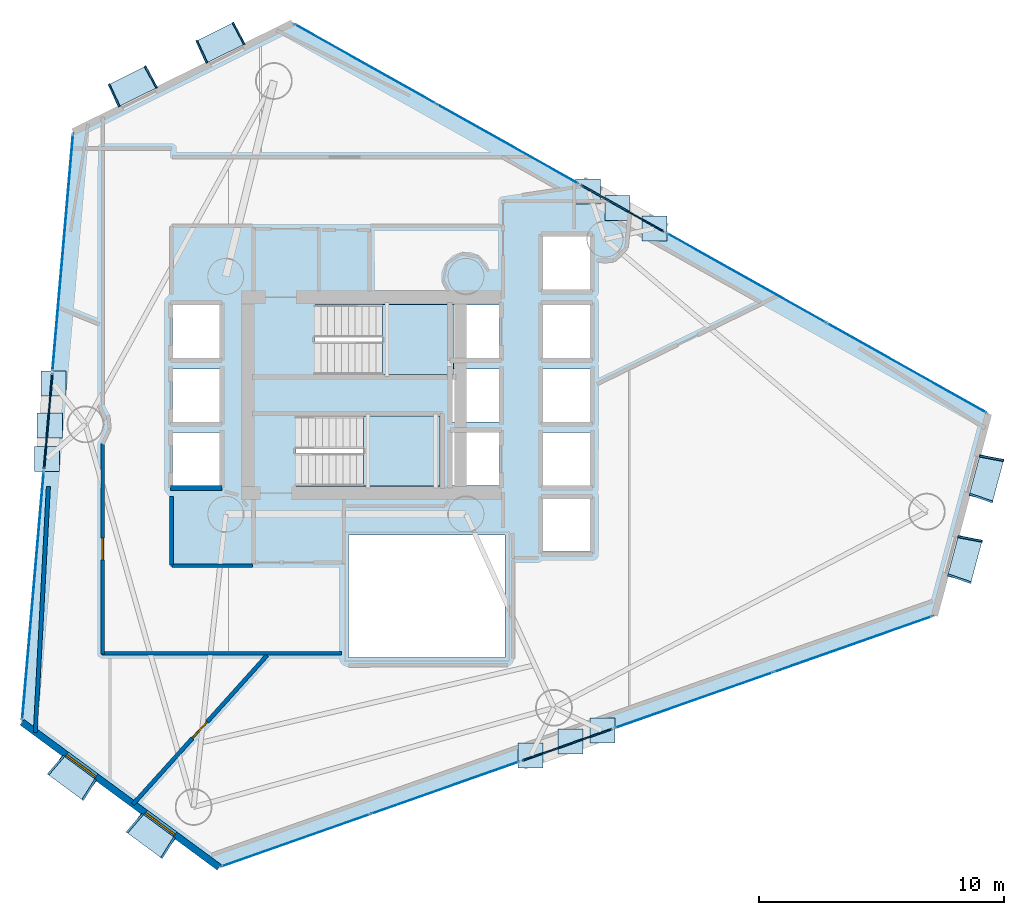
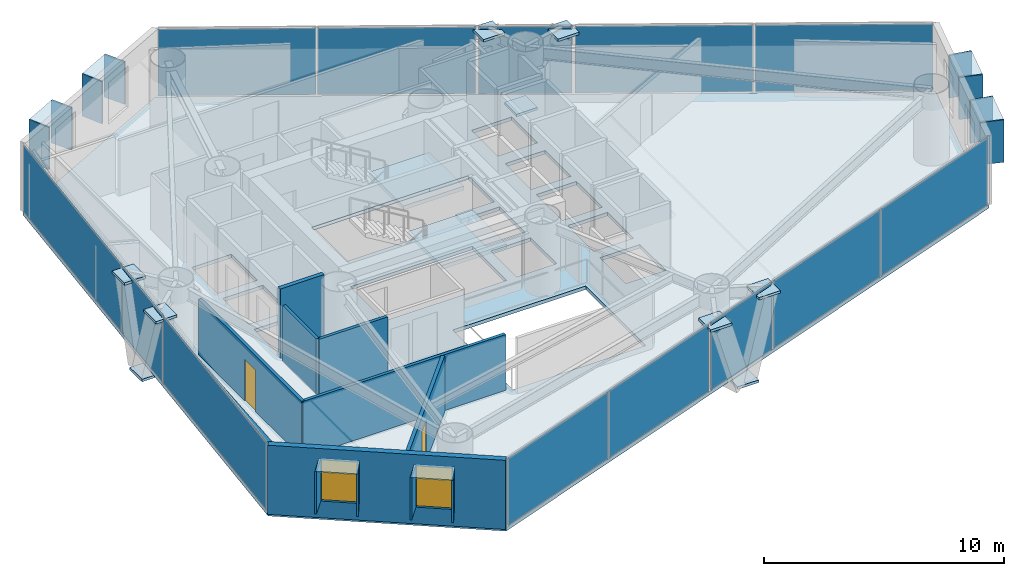
# One storey, part 14 of 19: 40 plates, 8 walls, 3 slabs, 2 doors, 2 windows, 4 openings, 11 elements without a shape of their own.
"""IFC4 building model written with IfcOpenShell, lengths in metres."""

from ifc_helpers import new_model, si_unit, direction, frame, frame_2d, origin, origin_2d, place, context, subcontext, project, spatial, polyline, rectangle, outline, extrude, material, layer, layer_set, type_object, element, fill, aggregate, save


model = new_model("IFC4")

# Units and contexts
model_context = context("Model", 3, precision=1e-05, world=origin(), true_north=direction((0.0, 1.0)))
body_context = subcontext(model_context, "Body", "Model", "MODEL_VIEW")
ifc_project = project(units=[si_unit("LENGTHUNIT", "METRE"), si_unit("AREAUNIT", "SQUARE_METRE"), si_unit("VOLUMEUNIT", "CUBIC_METRE"), si_unit("PLANEANGLEUNIT", "RADIAN"), si_unit("MASSUNIT", "GRAM", prefix="KILO")], contexts=[model_context])

# Site, building, storey
site_placement = place(None, origin())
site = spatial("IfcSite", under=ifc_project, at=site_placement, CompositionType="ELEMENT")
building_placement = place(site_placement, origin())
building = spatial("IfcBuilding", under=site, at=building_placement, Name="Qianvela Tower", CompositionType="ELEMENT")
storey_placement = place(building_placement, frame((0.0, 0.0, 123.699951171875)))
storey = spatial("IfcBuildingStorey", under=building, at=storey_placement, Name="L31", CompositionType="ELEMENT", Elevation=123.699951171875)

# Curtain wall, plate
ifc_material_1 = material(Name="Anodised Architectural Aluminium and Insulated Spandrel Panel", Category="aluminium")
ifc_layer_1 = layer(ifc_material_1, 0.179931640625)
ifc_layer_set_1 = layer_set([ifc_layer_1], Name="Anodised Architectural Aluminium and Insulated Spandrel Panel")
curtain_wall_type_1 = type_object("IfcCurtainWallType", Name="CW-BRACEBAY", PredefinedType="USERDEFINED", material=ifc_layer_set_1)
curtain_wall_1_placement = place(storey_placement, origin())
curtain_wall_1 = element("IfcCurtainWall", 1, at=curtain_wall_1_placement, inside=storey, type_object=curtain_wall_type_1, Name="L31 CW-BRACEBAY Curtain Wall 02B", ObjectType="CURTAIN_WALL_SYSTEM", PredefinedType="USERDEFINED")
ifc_material_2 = material(Name="Insulated Aluminium Spandrel Panel with Mineral-Wool Backpan", Category="aluminium")
ifc_layer_2 = layer(ifc_material_2, 0.06005859375)
ifc_layer_set_2 = layer_set([ifc_layer_2], Name="Insulated Aluminium Spandrel Panel with Mineral-Wool Backpan")
plate_type_1 = type_object("IfcPlateType", Name="CW-BRACEBAY-PNL", PredefinedType="CURTAIN_PANEL", material=ifc_layer_set_2)
plate_1_placement = place(storey_placement, frame((44.77978515625, 36.326416015625, 0.06494140625), z_axis=(0.0, 0.0, 1.0), x_axis=(-0.871950624206, 0.489593820372, 0.0)))
plate_1 = element("IfcPlate", 2, at=plate_1_placement, type_object=plate_type_1, Name="CW-9 panel 1.1", PredefinedType="CURTAIN_PANEL", context=body_context, shape_type="SweptSolid", body=[
    extrude(rectangle(XDim=3.89013671875, YDim=0.06005859375, at=origin_2d()), origin(), (0.0, 0.0, 1.0), 3.389892578125),
])
aggregate(curtain_wall_1, [plate_1])

curtain_wall_2_placement = place(storey_placement, origin())
curtain_wall_2 = element("IfcCurtainWall", 3, at=curtain_wall_2_placement, inside=storey, type_object=curtain_wall_type_1, Name="L31 CW-BRACEBAY Curtain Wall 04B", ObjectType="CURTAIN_WALL_SYSTEM", PredefinedType="USERDEFINED")
plate_2_placement = place(storey_placement, frame((21.359375, 27.6484375, 0.06494140625), z_axis=(0.0, 0.0, 1.0), x_axis=(-0.086476495323, -0.996253891213, 0.0)))
plate_2 = element("IfcPlate", 4, at=plate_2_placement, type_object=plate_type_1, Name="CW-9 panel 1.1", PredefinedType="CURTAIN_PANEL", context=body_context, shape_type="SweptSolid", body=[
    extrude(rectangle(XDim=3.89990234375, YDim=0.06005859375, at=origin_2d()), origin(), (0.0, 0.0, 1.0), 3.389892578125),
])
aggregate(curtain_wall_2, [plate_2])

curtain_wall_3_placement = place(storey_placement, origin())
curtain_wall_3 = element("IfcCurtainWall", 5, at=curtain_wall_3_placement, inside=storey, type_object=curtain_wall_type_1, Name="L31 CW-BRACEBAY Curtain Wall 06B", ObjectType="CURTAIN_WALL_SYSTEM", PredefinedType="USERDEFINED")
plate_3_placement = place(storey_placement, frame((42.521240234375, 14.443359375, 0.06494140625), z_axis=(0.0, 0.0, 1.0), x_axis=(0.943264641146, 0.332041890074, 0.0)))
plate_3 = element("IfcPlate", 6, at=plate_3_placement, type_object=plate_type_1, Name="CW-9 panel 1.1", PredefinedType="CURTAIN_PANEL", context=body_context, shape_type="SweptSolid", body=[
    extrude(rectangle(XDim=3.889892578125, YDim=0.06005859375, at=origin_2d()), origin(), (0.0, 0.0, 1.0), 3.389892578125),
])
aggregate(curtain_wall_3, [plate_3])

# Curtain wall, plates
ifc_material_3 = material(Name="Anodised Architectural Aluminium and Low-E Glass", Category="aluminium")
ifc_layer_3 = layer(ifc_material_3, 0.169921875)
ifc_layer_set_3 = layer_set([ifc_layer_3], Name="Anodised Architectural Aluminium and Low-E Glass")
curtain_wall_type_2 = type_object("IfcCurtainWallType", Name="CW-COLIV-Z34", PredefinedType="USERDEFINED", material=ifc_layer_set_3)
curtain_wall_4_placement = place(storey_placement, origin())
curtain_wall_4 = element("IfcCurtainWall", 7, at=curtain_wall_4_placement, inside=storey, type_object=curtain_wall_type_2, Name="L31 CW-COLIV-Z34 Curtain Wall 02A", ObjectType="CURTAIN_WALL_SYSTEM", PredefinedType="USERDEFINED")
ifc_material_4 = material(Name="Double-Silver Low-E Insulated Glass", Category="glass")
ifc_layer_4 = layer(ifc_material_4, 0.028076171875)
ifc_layer_set_4 = layer_set([ifc_layer_4], Name="Double-Silver Low-E Insulated Glass")
plate_type_2 = type_object("IfcPlateType", Name="CW-COLIV-Z34-PNL", PredefinedType="CURTAIN_PANEL", material=ifc_layer_set_4)
plate_4_placement = place(storey_placement, frame((56.3671875, 29.8203125, 0.06494140625), z_axis=(0.0, 0.0, 1.0), x_axis=(-0.871960611586, 0.48957603275, 0.0)))
plate_4 = element("IfcPlate", 8, at=plate_4_placement, type_object=plate_type_2, Name="CW-4 panel 1.1", PredefinedType="CURTAIN_PANEL", context=body_context, shape_type="SweptSolid", body=[
    extrude(rectangle(XDim=7.432373046875, YDim=0.028076171875, at=origin_2d()), origin(), (0.0, 0.0, 1.0), 3.389892578125),
])
plate_5_placement = place(storey_placement, frame((49.82958984375, 33.490966796875, 0.06494140625), z_axis=(0.0, 0.0, 1.0), x_axis=(-0.871960611586, 0.48957603275, 0.0)))
plate_5 = element("IfcPlate", 9, at=plate_5_placement, type_object=plate_type_2, Name="CW-4 panel 2.1", PredefinedType="CURTAIN_PANEL", context=body_context, shape_type="SweptSolid", body=[
    extrude(rectangle(XDim=7.432373046875, YDim=0.028076171875, at=origin_2d()), origin(), (0.0, 0.0, 1.0), 3.389892578125),
])
aggregate(curtain_wall_4, [plate_4, plate_5])

curtain_wall_5_placement = place(storey_placement, origin())
curtain_wall_5 = element("IfcCurtainWall", 10, at=curtain_wall_5_placement, inside=storey, type_object=curtain_wall_type_2, Name="L31 CW-COLIV-Z34 Curtain Wall 02C", ObjectType="CURTAIN_WALL_SYSTEM", PredefinedType="USERDEFINED")
plate_6_placement = place(storey_placement, frame((40.097900390625, 38.955078125, 0.06494140625), z_axis=(0.0, 0.0, 1.0), x_axis=(-0.87196048873, 0.489576251563, 0.0)))
plate_6 = element("IfcPlate", 11, at=plate_6_placement, type_object=plate_type_2, Name="CW-4 panel 1.1", PredefinedType="CURTAIN_PANEL", context=body_context, shape_type="SweptSolid", body=[
    extrude(rectangle(XDim=6.589111328125, YDim=0.028076171875, at=origin_2d()), origin(), (0.0, 0.0, 1.0), 3.389892578125),
])
plate_7_placement = place(storey_placement, frame((34.295654296875, 42.212890625, 0.06494140625), z_axis=(0.0, 0.0, 1.0), x_axis=(-0.87196048873, 0.489576251563, 0.0)))
plate_7 = element("IfcPlate", 12, at=plate_7_placement, type_object=plate_type_2, Name="CW-4 panel 2.1", PredefinedType="CURTAIN_PANEL", context=body_context, shape_type="SweptSolid", body=[
    extrude(rectangle(XDim=6.589111328125, YDim=0.028076171875, at=origin_2d()), origin(), (0.0, 0.0, 1.0), 3.389892578125),
])
aggregate(curtain_wall_5, [plate_6, plate_7])

# Curtain wall, plate
curtain_wall_6_placement = place(storey_placement, origin())
curtain_wall_6 = element("IfcCurtainWall", 13, at=curtain_wall_6_placement, inside=storey, type_object=curtain_wall_type_2, Name="L31 CW-COLIV-Z34 Curtain Wall 04A", ObjectType="CURTAIN_WALL_SYSTEM", PredefinedType="USERDEFINED")
plate_8_placement = place(storey_placement, frame((21.9560546875, 34.522705078125, 0.06494140625), z_axis=(0.0, 0.0, 1.0), x_axis=(-0.086458685307, -0.996255436991, 0.0)))
plate_8 = element("IfcPlate", 14, at=plate_8_placement, type_object=plate_type_2, Name="CW-4 panel 1.1", PredefinedType="CURTAIN_PANEL", context=body_context, shape_type="SweptSolid", body=[
    extrude(rectangle(XDim=9.639892578125, YDim=0.028076171875, at=origin_2d()), origin(), (0.0, 0.0, 1.0), 3.389892578125),
])
aggregate(curtain_wall_6, [plate_8])

curtain_wall_7_placement = place(storey_placement, origin())
curtain_wall_7 = element("IfcCurtainWall", 15, at=curtain_wall_7_placement, inside=storey, type_object=curtain_wall_type_2, Name="L31 CW-COLIV-Z34 Curtain Wall 04C", ObjectType="CURTAIN_WALL_SYSTEM", PredefinedType="USERDEFINED")
plate_9_placement = place(storey_placement, frame((20.741455078125, 20.528564453125, 0.06494140625), z_axis=(0.0, 0.0, 1.0), x_axis=(-0.086459760786, -0.996255343657, 0.0)))
plate_9 = element("IfcPlate", 16, at=plate_9_placement, type_object=plate_type_2, Name="CW-4 panel 1.1", PredefinedType="CURTAIN_PANEL", context=body_context, shape_type="SweptSolid", body=[
    extrude(rectangle(XDim=10.1337890625, YDim=0.028076171875, at=origin_2d()), origin(), (0.0, 0.0, 1.0), 3.389892578125),
])
aggregate(curtain_wall_7, [plate_9])

# Curtain wall, plates
curtain_wall_8_placement = place(storey_placement, origin())
curtain_wall_8 = element("IfcCurtainWall", 17, at=curtain_wall_8_placement, inside=storey, type_object=curtain_wall_type_2, Name="L31 CW-COLIV-Z34 Curtain Wall 06A", ObjectType="CURTAIN_WALL_SYSTEM", PredefinedType="USERDEFINED")
plate_10_placement = place(storey_placement, frame((31.4580078125, 10.548828125, 0.06494140625), z_axis=(0.0, 0.0, 1.0), x_axis=(0.943261680803, 0.332050299696, 0.0)))
plate_10 = element("IfcPlate", 18, at=plate_10_placement, type_object=plate_type_2, Name="CW-4 panel 1.1", PredefinedType="CURTAIN_PANEL", context=body_context, shape_type="SweptSolid", body=[
    extrude(rectangle(XDim=6.392578125, YDim=0.028076171875, at=origin_2d()), origin(), (0.0, 0.0, 1.0), 3.389892578125),
])
plate_11_placement = place(storey_placement, frame((37.549072265625, 12.693115234375, 0.06494140625), z_axis=(0.0, 0.0, 1.0), x_axis=(0.943261680803, 0.332050299696, 0.0)))
plate_11 = element("IfcPlate", 19, at=plate_11_placement, type_object=plate_type_2, Name="CW-4 panel 2.1", PredefinedType="CURTAIN_PANEL", context=body_context, shape_type="SweptSolid", body=[
    extrude(rectangle(XDim=6.392578125, YDim=0.028076171875, at=origin_2d()), origin(), (0.0, 0.0, 1.0), 3.389892578125),
])
aggregate(curtain_wall_8, [plate_10, plate_11])

curtain_wall_9_placement = place(storey_placement, origin())
curtain_wall_9 = element("IfcCurtainWall", 20, at=curtain_wall_9_placement, inside=storey, type_object=curtain_wall_type_2, Name="L31 CW-COLIV-Z34 Curtain Wall 06C", ObjectType="CURTAIN_WALL_SYSTEM", PredefinedType="USERDEFINED")
plate_12_placement = place(storey_placement, frame((47.69287109375, 16.263916015625, 0.06494140625), z_axis=(0.0, 0.0, 1.0), x_axis=(0.94326293987, 0.332046723019, 0.0)))
plate_12 = element("IfcPlate", 21, at=plate_12_placement, type_object=plate_type_2, Name="CW-4 panel 1.1", PredefinedType="CURTAIN_PANEL", context=body_context, shape_type="SweptSolid", body=[
    extrude(rectangle(XDim=6.815673828125, YDim=0.028076171875, at=origin_2d()), origin(), (0.0, 0.0, 1.0), 3.389892578125),
])
plate_13_placement = place(storey_placement, frame((54.18310546875, 18.548583984375, 0.06494140625), z_axis=(0.0, 0.0, 1.0), x_axis=(0.94326293987, 0.332046723019, 0.0)))
plate_13 = element("IfcPlate", 22, at=plate_13_placement, type_object=plate_type_2, Name="CW-4 panel 2.1", PredefinedType="CURTAIN_PANEL", context=body_context, shape_type="SweptSolid", body=[
    extrude(rectangle(XDim=6.815673828125, YDim=0.028076171875, at=origin_2d()), origin(), (0.0, 0.0, 1.0), 3.389892578125),
])
aggregate(curtain_wall_9, [plate_12, plate_13])

# Plates
ifc_material_5 = material(Name="Steel Q420GJC", Category="steel")
ifc_layer_5 = layer(ifc_material_5, 0.1298828125)
ifc_layer_set_5 = layer_set([ifc_layer_5], Name="Steel Q420GJC")
plate_type_3 = type_object("IfcPlateType", Name="PT-ENDCAP-130", PredefinedType="USERDEFINED", material=ifc_layer_set_5)
for number, where, z_axis, x_axis, name in (
    (23, (46.091552734375, 35.498046875, 3.209716796875), (0.0, 0.0, 1.0), (1.0, 0.0, 0.0), "L31 Hollow Section End Cap Plate B"),
    (24, (44.584228515625, 36.34423828125, -0.603271484375), (0.0, 0.0, 1.0), (1.0, 0.0, 0.0), "L31 Hollow Section End Cap Plate A"),
    (25, (43.3837890625, 37.018310546875, 3.20947265625), (0.0, 0.0, 1.0), (1.0, 0.0, 0.0), "L31 Hollow Section End Cap Plate B"),
    (26, (21.5732421875, 29.187255859375, 3.209716796875), (0.0, 0.0, 1.0), (1.0, 0.0, 0.0), "L31 Hollow Section End Cap Plate B"),
    (27, (21.424072265625, 27.467041015625, -0.603271484375), (0.0, 0.0, 1.0), (1.0, 0.0, 0.0), "L31 Hollow Section End Cap Plate A"),
    (28, (21.3046875, 26.09375, 3.20947265625), (0.0, 0.0, 1.0), (1.0, 0.0, 0.0), "L31 Hollow Section End Cap Plate B"),
    (29, (41.030029296875, 14.00341796875, 3.209716796875), (0.0, 0.0, 1.0), (1.0, 0.0, 0.0), "L31 Hollow Section End Cap Plate B"),
    (30, (42.657470703125, 14.576171875, -0.603271484375), (0.0, 0.0, 1.0), (1.0, 0.0, 0.0), "L31 Hollow Section End Cap Plate A"),
    (31, (43.959228515625, 15.034423828125, 3.20947265625), (0.0, 0.0, 1.0), (1.0, 0.0, 0.0), "L31 Hollow Section End Cap Plate B"),
):
    element("IfcPlate", number, at=place(storey_placement, frame(where, z_axis=z_axis, x_axis=x_axis)), inside=storey, type_object=plate_type_3, Name=name, ObjectType="END_CAP", PredefinedType="USERDEFINED", context=body_context, shape_type="SweptSolid", body=[
        extrude(rectangle(XDim=1.02001953125, YDim=1.02001953125, at=origin_2d()), origin(), (0.0, 0.0, 1.0), 0.1298828125),
    ])

# Slab
ifc_material_6 = material(Name="Concrete C40", Category="concrete")
ifc_layer_6 = layer(ifc_material_6, 0.179931640625)
ifc_layer_set_6 = layer_set([ifc_layer_6], Name="Concrete C40")
slab_type_1 = type_object("IfcSlabType", Name="SL-FLOOR-180", PredefinedType="FLOOR", material=ifc_layer_set_6)
slab_1_placement = place(storey_placement, frame((0.0, 0.0, -0.179931640625)))
element("IfcSlab", 32, at=slab_1_placement, inside=storey, type_object=slab_type_1, Name="L31 Composite Structural Floor Slab", PredefinedType="FLOOR", context=body_context, shape_type="SweptSolid", body=[
    extrude(outline(polyline([(57.506103515625, 19.718505859375), (59.707763671875, 27.944580078125), (31.32275390625, 43.882080078125), (22.3828125, 39.439208984375), (20.29345703125, 15.365966796875), (28.33447265625, 9.449462890625), (57.506103515625, 19.718505859375)]), holes=[polyline([(40.0, 23.0), (33.60009765625, 23.0), (33.60009765625, 18.0), (40.0, 18.0), (40.0, 23.0)]), polyline([(28.360107421875, 25.02001953125), (28.360107421875, 27.179931640625), (26.43994140625, 27.179931640625), (26.43994140625, 25.02001953125), (28.360107421875, 25.02001953125)]), polyline([(37.35009765625, 25.0), (37.35009765625, 27.860107421875), (31.469970703125, 27.860107421875), (31.469970703125, 25.0), (37.35009765625, 25.0)]), polyline([(28.360107421875, 27.6201171875), (28.360107421875, 29.780029296875), (26.43994140625, 29.780029296875), (26.43994140625, 27.6201171875), (28.360107421875, 27.6201171875)]), polyline([(37.89990234375, 32.3798828125), (37.89990234375, 32.39990234375), (32.25, 32.39990234375), (32.25, 29.5400390625), (37.840087890625, 29.5400390625), (37.840087890625, 27.6201171875), (39.760009765625, 27.6201171875), (39.760009765625, 29.780029296875), (37.89990234375, 29.780029296875), (37.89990234375, 30.219970703125), (39.760009765625, 30.219970703125), (39.760009765625, 32.3798828125), (37.89990234375, 32.3798828125)]), polyline([(28.360107421875, 30.219970703125), (28.360107421875, 32.3798828125), (26.43994140625, 32.3798828125), (26.43994140625, 30.219970703125), (28.360107421875, 30.219970703125)]), polyline([(43.4599609375, 24.47998046875), (41.5400390625, 24.47998046875), (41.5400390625, 22.320068359375), (43.4599609375, 22.320068359375), (43.4599609375, 24.47998046875)]), polyline([(39.760009765625, 25.02001953125), (39.760009765625, 27.179931640625), (37.840087890625, 27.179931640625), (37.840087890625, 25.02001953125), (39.760009765625, 25.02001953125)]), polyline([(43.4599609375, 25.02001953125), (43.4599609375, 27.179931640625), (41.5400390625, 27.179931640625), (41.5400390625, 25.02001953125), (43.4599609375, 25.02001953125)]), polyline([(43.4599609375, 27.6201171875), (43.4599609375, 29.780029296875), (41.5400390625, 29.780029296875), (41.5400390625, 27.6201171875), (43.4599609375, 27.6201171875)]), polyline([(43.4599609375, 30.219970703125), (43.4599609375, 32.3798828125), (41.5400390625, 32.3798828125), (41.5400390625, 30.219970703125), (43.4599609375, 30.219970703125)]), polyline([(43.4599609375, 33.02001953125), (43.4599609375, 35.179931640625), (41.5400390625, 35.179931640625), (41.5400390625, 33.02001953125), (43.4599609375, 33.02001953125)])]), origin(), (0.0, 0.0, 1.0), 0.179931640625),
])

# Stair, slab
ifc_material_7 = material(Name="Concrete C40", Category="concrete")
stair_type = type_object("IfcStairType", Name="ST-DOGLEG-1350-R168-N22", PredefinedType="HALF_TURN_STAIR", material=ifc_material_7)
stair_1_placement = place(storey_placement, origin())
stair_1 = element("IfcStair", 33, at=stair_1_placement, inside=storey, type_object=stair_type, Name="L31 Smoke-Proof Core Stair ST-1", PredefinedType="HALF_TURN_STAIR")
ifc_material_8 = material(Name="Concrete C40", Category="concrete")
ifc_layer_7 = layer(ifc_material_8, 0.199951171875)
ifc_layer_set_7 = layer_set([ifc_layer_7], Name="Concrete C40")
slab_type_2 = type_object("IfcSlabType", Name="SL-STAIR-LANDING-200", PredefinedType="LANDING", material=ifc_layer_set_7)
slab_2_placement = place(storey_placement, frame((0.0, 0.0, 1.650146484375)))
slab_2 = element("IfcSlab", 34, at=slab_2_placement, type_object=slab_type_2, Name="ST-1 landing 1", PredefinedType="LANDING", context=body_context, shape_type="SweptSolid", body=[
    extrude(outline(polyline([(35.0, 29.5400390625), (37.89990234375, 29.5400390625), (37.89990234375, 32.39990234375), (35.0, 32.39990234375), (35.0, 29.5400390625)])), origin(), (0.0, 0.0, 1.0), 0.199951171875),
])
aggregate(stair_1, [slab_2])

stair_2_placement = place(storey_placement, origin())
stair_2 = element("IfcStair", 35, at=stair_2_placement, inside=storey, type_object=stair_type, Name="L31 Smoke-Proof Core Stair ST-2", PredefinedType="HALF_TURN_STAIR")
slab_3_placement = place(storey_placement, frame((0.0, 0.0, 1.650146484375)))
slab_3 = element("IfcSlab", 36, at=slab_3_placement, type_object=slab_type_2, Name="ST-2 landing 1", PredefinedType="LANDING", context=body_context, shape_type="SweptSolid", body=[
    extrude(outline(polyline([(34.219970703125, 25.0), (37.35009765625, 25.0), (37.35009765625, 27.860107421875), (34.219970703125, 27.860107421875), (34.219970703125, 25.0)])), origin(), (0.0, 0.0, 1.0), 0.199951171875),
])
aggregate(stair_2, [slab_3])

# Plates
ifc_material_9 = material(Name="Vitrified Architectural Terracotta Panel", Category="masonry")
ifc_layer_8 = layer(ifc_material_9, 0.06494140625)
ifc_layer_set_8 = layer_set([ifc_layer_8], Name="Vitrified Architectural Terracotta Panel")
plate_type_4 = type_object("IfcPlateType", Name="TERRACOTTA-SUNSHADE-HOOD-FOLD-B", PredefinedType="USERDEFINED", material=ifc_layer_set_8)
for number, where, z_axis, x_axis, name in (
    (37, (28.3759765625, 43.08203125, 2.9599609375), (0.0, 0.0, 1.0), (-0.895510675722, -0.445040031534, 0.0), "L31 Terracotta Sunshade Hood FOLD-B"),
    (38, (24.7998046875, 41.304931640625, 2.9599609375), (0.0, 0.0, 1.0), (-0.895510675722, -0.445040031534, 0.0), "L31 Terracotta Sunshade Hood FOLD-B"),
):
    element("IfcPlate", number, at=place(storey_placement, frame(where, z_axis=z_axis, x_axis=x_axis)), inside=storey, type_object=plate_type_4, Name=name, ObjectType="SUNSHADE", PredefinedType="USERDEFINED", context=body_context, shape_type="SweptSolid", body=[
        extrude(rectangle(XDim=1.739990234375, YDim=0.989990234375, at=origin_2d()), origin(), (0.0, 0.0, 1.0), 0.06005859375),
    ])
ifc_material_10 = material(Name="Vitrified Architectural Terracotta Panel", Category="masonry")
ifc_layer_9 = layer(ifc_material_10, 0.074951171875)
ifc_layer_set_9 = layer_set([ifc_layer_9], Name="Vitrified Architectural Terracotta Panel")
plate_type_5 = type_object("IfcPlateType", Name="TERRACOTTA-SUNSHADE-HOOD-FOLD-D", PredefinedType="USERDEFINED", material=ifc_layer_set_9)
for number, where, z_axis, x_axis, name in (
    (39, (58.741455078125, 22.032470703125, 2.9599609375), (0.0, 0.0, 1.0), (0.258530751759, 0.96600302815, 0.0), "L31 Terracotta Sunshade Hood FOLD-D"),
    (40, (59.6220703125, 25.322998046875, 2.9599609375), (0.0, 0.0, 1.0), (0.258530751759, 0.96600302815, 0.0), "L31 Terracotta Sunshade Hood FOLD-D"),
    (41, (22.353271484375, 13.11181640625, 2.9599609375), (0.0, 0.0, 1.0), (0.805454792687, -0.592657217063, 0.0), "L31 Terracotta Sunshade Hood FOLD-D"),
    (42, (25.569580078125, 10.7451171875, 2.9599609375), (0.0, 0.0, 1.0), (0.805454792687, -0.592657217063, 0.0), "L31 Terracotta Sunshade Hood FOLD-D"),
):
    element("IfcPlate", number, at=place(storey_placement, frame(where, z_axis=z_axis, x_axis=x_axis)), inside=storey, type_object=plate_type_5, Name=name, ObjectType="SUNSHADE", PredefinedType="USERDEFINED", context=body_context, shape_type="SweptSolid", body=[
        extrude(rectangle(XDim=1.739990234375, YDim=0.989990234375, at=origin_2d()), origin(), (0.0, 0.0, 1.0), 0.06005859375),
    ])
ifc_material_11 = material(Name="Vitrified Architectural Terracotta Side Fin Panel", Category="masonry")
ifc_layer_10 = layer(ifc_material_11, 0.070068359375)
ifc_layer_set_10 = layer_set([ifc_layer_10], Name="Vitrified Architectural Terracotta Side Fin Panel")
plate_type_6 = type_object("IfcPlateType", Name="TERRACOTTA-SUNSHADE-STRUT-FOLD-B", PredefinedType="USERDEFINED", material=ifc_layer_set_10)
for number, where, z_axis, x_axis, name in (
    (43, (29.128173828125, 43.455810546875, 0.85009765625), (0.0, 0.0, 1.0), (-0.881502140455, -0.472180025386, 0.0), "L31 Terracotta Sunshade Side Fin HL FOLD-B"),
    (44, (27.623779296875, 42.708251953125, 0.85009765625), (0.0, 0.0, 1.0), (-0.908683862219, -0.417484896185, 0.0), "L31 Terracotta Sunshade Side Fin HR FOLD-B"),
    (45, (25.552001953125, 41.6787109375, 0.85009765625), (0.0, 0.0, 1.0), (-0.881502140455, -0.472180025386, 0.0), "L31 Terracotta Sunshade Side Fin HL FOLD-B"),
    (46, (24.047607421875, 40.93115234375, 0.85009765625), (0.0, 0.0, 1.0), (-0.908683862219, -0.417484896185, 0.0), "L31 Terracotta Sunshade Side Fin HR FOLD-B"),
):
    element("IfcPlate", number, at=place(storey_placement, frame(where, z_axis=z_axis, x_axis=x_axis)), inside=storey, type_object=plate_type_6, Name=name, ObjectType="SUNSHADE", PredefinedType="USERDEFINED", context=body_context, shape_type="SweptSolid", body=[
        extrude(rectangle(XDim=0.070068359375, YDim=1.010009765625, at=origin_2d()), origin(), (0.0, 0.0, 1.0), 2.159912109375),
    ])
ifc_material_12 = material(Name="Vitrified Architectural Terracotta Side Fin Panel", Category="masonry")
ifc_layer_11 = layer(ifc_material_12, 0.080078125)
ifc_layer_set_11 = layer_set([ifc_layer_11], Name="Vitrified Architectural Terracotta Side Fin Panel")
plate_type_7 = type_object("IfcPlateType", Name="TERRACOTTA-SUNSHADE-STRUT-FOLD-D", PredefinedType="USERDEFINED", material=ifc_layer_set_11)
for number, where, z_axis, x_axis, name in (
    (47, (58.5244140625, 21.220947265625, 0.85009765625), (0.0, 0.0, 1.0), (0.329408865986, 0.944187374947, 0.0), "L31 Terracotta Sunshade Side Fin HL FOLD-D"),
    (48, (58.95849609375, 22.843994140625, 0.85009765625), (0.0, 0.0, 1.0), (0.186230814106, 0.982506022311, 0.0), "L31 Terracotta Sunshade Side Fin HR FOLD-D"),
    (49, (59.40478515625, 24.511474609375, 0.85009765625), (0.0, 0.0, 1.0), (0.329408865986, 0.944187374947, 0.0), "L31 Terracotta Sunshade Side Fin HL FOLD-D"),
    (50, (59.83935546875, 26.134521484375, 0.85009765625), (0.0, 0.0, 1.0), (0.186230814106, 0.982506022311, 0.0), "L31 Terracotta Sunshade Side Fin HR FOLD-D"),
    (51, (21.676513671875, 13.609619140625, 0.85009765625), (0.0, 0.0, 1.0), (0.759319009537, -0.650718558024, 0.0), "L31 Terracotta Sunshade Side Fin HL FOLD-D"),
    (52, (23.02978515625, 12.614013671875, 0.85009765625), (0.0, 0.0, 1.0), (0.847160872657, -0.53133648081, 0.0), "L31 Terracotta Sunshade Side Fin HR FOLD-D"),
    (53, (24.89306640625, 11.242919921875, 0.85009765625), (0.0, 0.0, 1.0), (0.759319009537, -0.650718558024, 0.0), "L31 Terracotta Sunshade Side Fin HL FOLD-D"),
    (54, (26.24609375, 10.247314453125, 0.85009765625), (0.0, 0.0, 1.0), (0.847160872657, -0.53133648081, 0.0), "L31 Terracotta Sunshade Side Fin HR FOLD-D"),
):
    element("IfcPlate", number, at=place(storey_placement, frame(where, z_axis=z_axis, x_axis=x_axis)), inside=storey, type_object=plate_type_7, Name=name, ObjectType="SUNSHADE", PredefinedType="USERDEFINED", context=body_context, shape_type="SweptSolid", body=[
        extrude(rectangle(XDim=0.080078125, YDim=1.010009765625, at=origin_2d()), origin(), (0.0, 0.0, 1.0), 2.159912109375),
    ])

# Wall, openings, windows
ifc_material_13 = material(Name="Terracotta Cladding on Concrete C40", Category="masonry")
ifc_layer_12 = layer(ifc_material_13, 0.280029296875)
ifc_layer_set_12 = layer_set([ifc_layer_12], Name="Terracotta Cladding on Concrete C40")
wall_type_1 = type_object("IfcWallType", Name="TERRACOTTA-WALL-280", PredefinedType="SOLIDWALL", material=ifc_layer_set_12)
wall_1_placement = place(storey_placement, frame((20.29345703125, 15.365966796875, 0.0), z_axis=(0.0, 0.0, 1.0), x_axis=(0.805460106815, -0.592649994794, 0.0)))
wall_1 = element("IfcWall", 55, at=wall_1_placement, inside=storey, type_object=wall_type_1, Name="L31 Terracotta Chamfer Facet Wall 5", PredefinedType="SOLIDWALL", context=body_context, shape_type="SweptSolid", body=[
    extrude(rectangle(XDim=9.983154296875, YDim=0.280029296875, at=frame_2d((4.99169921875, 0.0))), origin(), (0.0, 0.0, 1.0), 3.52001953125),
])
opening_1_placement = place(wall_1_placement, frame((2.2451171875, 0.0, 0.85009765625)))
opening_1 = element("IfcOpeningElement", 56, at=opening_1_placement, cuts=wall_1, Name="Opening W-02", PredefinedType="OPENING", context=body_context, shape_type="SweptSolid", body=[
    extrude(rectangle(XDim=1.5, YDim=2.10009765625, at=frame_2d((0.75, 1.050048828125))), frame((0.0, 0.14990234375, 0.0), z_axis=(0.0, -1.0, 0.0), x_axis=(1.0, 0.0, 0.0)), (0.0, 0.0, 1.0), 0.300048828125),
])
opening_2_placement = place(wall_1_placement, frame((6.23828125, 0.0, 0.85009765625)))
opening_2 = element("IfcOpeningElement", 57, at=opening_2_placement, cuts=wall_1, Name="Opening W-02", PredefinedType="OPENING", context=body_context, shape_type="SweptSolid", body=[
    extrude(rectangle(XDim=1.5, YDim=2.10009765625, at=frame_2d((0.75, 1.050048828125))), frame((0.0, 0.14990234375, 0.0), z_axis=(0.0, -1.0, 0.0), x_axis=(1.0, 0.0, 0.0)), (0.0, 0.0, 1.0), 0.300048828125),
])
ifc_material_14 = material(Name="Thermally Broken Aluminium and Low-E Glass", Category="aluminium")
window_type = type_object("IfcWindowType", Name="WIN-TC-1500x2100", PartitioningType="DOUBLE_PANEL_VERTICAL", PredefinedType="WINDOW", material=ifc_material_14)
window_1_placement = place(opening_1_placement, origin())
window_1 = element("IfcWindow", 58, at=window_1_placement, inside=storey, type_object=window_type, Name="L31 Chamfer Facet Window 5.1", OverallHeight=2.10009765625, OverallWidth=1.5, PartitioningType="SINGLE_PANEL", PredefinedType="WINDOW", context=body_context, shape_type="SweptSolid", body=[
    extrude(rectangle(XDim=1.5, YDim=2.10009765625, at=frame_2d((0.75, 1.050048828125))), frame((0.0, 0.030029296875, 0.0), z_axis=(0.0, -1.0, 0.0), x_axis=(1.0, 0.0, 0.0)), (0.0, 0.0, 1.0), 0.06005859375),
])
fill(opening_1, window_1)
window_2_placement = place(opening_2_placement, origin())
window_2 = element("IfcWindow", 59, at=window_2_placement, inside=storey, type_object=window_type, Name="L31 Chamfer Facet Window 5.2", OverallHeight=2.10009765625, OverallWidth=1.5, PartitioningType="SINGLE_PANEL", PredefinedType="WINDOW", context=body_context, shape_type="SweptSolid", body=[
    extrude(rectangle(XDim=1.5, YDim=2.10009765625, at=frame_2d((0.75, 1.050048828125))), frame((0.0, 0.030029296875, 0.0), z_axis=(0.0, -1.0, 0.0), x_axis=(1.0, 0.0, 0.0)), (0.0, 0.0, 1.0), 0.06005859375),
])
fill(opening_2, window_2)

# Walls
ifc_material_15 = material(Name="Fire-Rated Acoustic Gypsum Board")
ifc_layer_13 = layer(ifc_material_15, 0.14990234375)
ifc_layer_set_13 = layer_set([ifc_layer_13], Name="Fire-Rated Acoustic Gypsum Board")
wall_type_2 = type_object("IfcWallType", Name="WT-CORR-150", PredefinedType="PARTITIONING", material=ifc_layer_set_13)
wall_2_placement = place(storey_placement, frame((26.388916015625, 24.581298828125, 0.0), z_axis=(0.0, 0.0, 1.0), x_axis=(0.0, -1.0, 0.0)))
element("IfcWall", 60, at=wall_2_placement, inside=storey, type_object=wall_type_2, Name="L31 Partition 45", PredefinedType="PARTITIONING", context=body_context, shape_type="SweptSolid", body=[
    extrude(rectangle(XDim=2.80126953125, YDim=0.14990234375, at=frame_2d((1.400634765625, 0.0))), origin(), (0.0, 0.0, 1.0), 2.840087890625),
])
wall_3_placement = place(storey_placement, frame((26.419921875, 21.7490234375, 0.0), z_axis=(0.0, 0.0, 1.0), x_axis=(1.0, 0.0, 0.0)))
element("IfcWall", 61, at=wall_3_placement, inside=storey, type_object=wall_type_2, Name="L31 Partition 46 seg 1", PredefinedType="PARTITIONING", context=body_context, shape_type="SweptSolid", body=[
    extrude(rectangle(XDim=3.280029296875, YDim=0.14990234375, at=frame_2d((1.64013671875, 0.0))), origin(), (0.0, 0.0, 1.0), 2.840087890625),
])
wall_4_placement = place(storey_placement, frame((33.320068359375, 18.180908203125, 0.0), z_axis=(0.0, 0.0, 1.0), x_axis=(-1.0, 0.0, 0.0)))
element("IfcWall", 62, at=wall_4_placement, inside=storey, type_object=wall_type_2, Name="L31 Partition 47", PredefinedType="PARTITIONING", context=body_context, shape_type="SweptSolid", body=[
    extrude(rectangle(XDim=9.77001953125, YDim=0.14990234375, at=frame_2d((4.885009765625, 0.0))), origin(), (0.0, 0.0, 1.0), 2.840087890625),
])

# Wall, opening, door
wall_5_placement = place(storey_placement, frame((23.5810546875, 18.14990234375, 0.0), z_axis=(0.0, 0.0, 1.0), x_axis=(0.0, 1.0, 0.0)))
wall_5 = element("IfcWall", 63, at=wall_5_placement, inside=storey, type_object=wall_type_2, Name="L31 Partition 48", PredefinedType="PARTITIONING", context=body_context, shape_type="SweptSolid", body=[
    extrude(rectangle(XDim=8.575439453125, YDim=0.14990234375, at=frame_2d((4.28759765625, 0.0))), origin(), (0.0, 0.0, 1.0), 2.840087890625),
])
opening_3_placement = place(wall_5_placement, frame((3.837646484375, 0.0, 0.0)))
opening_3 = element("IfcOpeningElement", 64, at=opening_3_placement, cuts=wall_5, Name="Opening D-KT1", PredefinedType="OPENING", context=body_context, shape_type="SweptSolid", body=[
    extrude(rectangle(XDim=0.89990234375, YDim=2.10009765625, at=frame_2d((0.449951171875, 1.050048828125))), frame((0.0, 0.0849609375, 0.0), z_axis=(0.0, -1.0, 0.0), x_axis=(1.0, 0.0, 0.0)), (0.0, 0.0, 1.0), 0.169921875),
])
ifc_material_16 = material(Name="Glazed Timber Kitchen Door", Category="wood")
door_type = type_object("IfcDoorType", Name="DT-KITCH-900", OperationType="NOTDEFINED", PredefinedType="DOOR", material=ifc_material_16)
door_1_placement = place(opening_3_placement, origin())
door_1 = element("IfcDoor", 65, at=door_1_placement, inside=storey, type_object=door_type, Name="L31 Door Student Tea Pantry L31-01 to L31 Floor Corridor", OperationType="SINGLE_SWING_RIGHT", OverallHeight=2.10009765625, OverallWidth=0.89990234375, PredefinedType="DOOR", context=body_context, shape_type="SweptSolid", body=[
    extrude(rectangle(XDim=0.89990234375, YDim=2.10009765625, at=frame_2d((0.449951171875, 1.050048828125))), frame((0.0, 0.02490234375, 0.0), z_axis=(0.0, -1.0, 0.0), x_axis=(1.0, 0.0, 0.0)), (0.0, 0.0, 1.0), 0.050048828125),
])
fill(opening_3, door_1)

ifc_material_17 = material(Name="Sanitary Service Chase Partition")
ifc_layer_14 = layer(ifc_material_17, 0.1650390625)
ifc_layer_set_14 = layer_set([ifc_layer_14], Name="Sanitary Service Chase Partition")
wall_type_3 = type_object("IfcWallType", Name="WT-PLUMB-165", PredefinedType="PLUMBINGWALL", material=ifc_layer_set_14)
wall_6_placement = place(storey_placement, frame((30.2802734375, 18.0908203125, 0.0), z_axis=(0.0, 0.0, 1.0), x_axis=(-0.669142948904, -0.743133712014, 0.0)))
wall_6 = element("IfcWall", 66, at=wall_6_placement, inside=storey, type_object=wall_type_3, Name="L31 Partition 58", PredefinedType="PLUMBINGWALL", context=body_context, shape_type="SweptSolid", body=[
    extrude(rectangle(XDim=8.173095703125, YDim=0.1650390625, at=frame_2d((4.08642578125, 0.0))), origin(), (0.0, 0.0, 1.0), 2.840087890625),
])
opening_4_placement = place(wall_6_placement, frame((3.636474609375, 0.0, 0.0)))
opening_4 = element("IfcOpeningElement", 67, at=opening_4_placement, cuts=wall_6, Name="Opening D-KT1", PredefinedType="OPENING", context=body_context, shape_type="SweptSolid", body=[
    extrude(rectangle(XDim=0.89990234375, YDim=2.10009765625, at=frame_2d((0.449951171875, 1.050048828125))), frame((0.0, 0.092529296875, 0.0), z_axis=(0.0, -1.0, 0.0), x_axis=(1.0, 0.0, 0.0)), (0.0, 0.0, 1.0), 0.18505859375),
])
door_2_placement = place(opening_4_placement, origin())
door_2 = element("IfcDoor", 68, at=door_2_placement, inside=storey, type_object=door_type, Name="L31 Door Floor Dining Kitchen L31-02 to Student Tea Pantry L31-01", OperationType="SINGLE_SWING_LEFT", OverallHeight=2.10009765625, OverallWidth=0.89990234375, PredefinedType="DOOR", context=body_context, shape_type="SweptSolid", body=[
    extrude(rectangle(XDim=0.89990234375, YDim=2.10009765625, at=frame_2d((0.449951171875, 1.050048828125))), frame((0.0, 0.02490234375, 0.0), z_axis=(0.0, -1.0, 0.0), x_axis=(1.0, 0.0, 0.0)), (0.0, 0.0, 1.0), 0.050048828125),
])
fill(opening_4, door_2)

# Walls
wall_7_placement = place(storey_placement, frame((20.835205078125, 14.9462890625, 0.0), z_axis=(0.0, 0.0, 1.0), x_axis=(0.053105834147, 0.998588889573, 0.0)))
element("IfcWall", 69, at=wall_7_placement, inside=storey, type_object=wall_type_3, Name="L31 Partition 60 seg 1", PredefinedType="PLUMBINGWALL", context=body_context, shape_type="SweptSolid", body=[
    extrude(rectangle(XDim=10.049560546875, YDim=0.1650390625, at=frame_2d((5.02490234375, 0.0))), origin(), (0.0, 0.0, 1.0), 2.840087890625),
])
ifc_material_18 = material(Name="Concrete C50", Category="concrete")
ifc_layer_15 = layer(ifc_material_18, 0.199951171875)
ifc_layer_set_15 = layer_set([ifc_layer_15], Name="Concrete C50")
wall_type_4 = type_object("IfcWallType", Name="WT-SHAFT-200", PredefinedType="SOLIDWALL", material=ifc_layer_set_15)
wall_8_placement = place(storey_placement, frame((26.35009765625, 24.919921875, 0.0), z_axis=(0.0, 0.0, 1.0), x_axis=(1.0, 0.0, 0.0)))
element("IfcWall", 70, at=wall_8_placement, inside=storey, type_object=wall_type_4, Name="L31 Lift PL-L3 S Shaft Wall", PredefinedType="SOLIDWALL", context=body_context, shape_type="SweptSolid", body=[
    extrude(rectangle(XDim=2.099853515625, YDim=0.199951171875, at=frame_2d((1.0498046875, 0.0))), origin(), (0.0, 0.0, 1.0), 3.52001953125),
])

save(model, "model.ifc")
